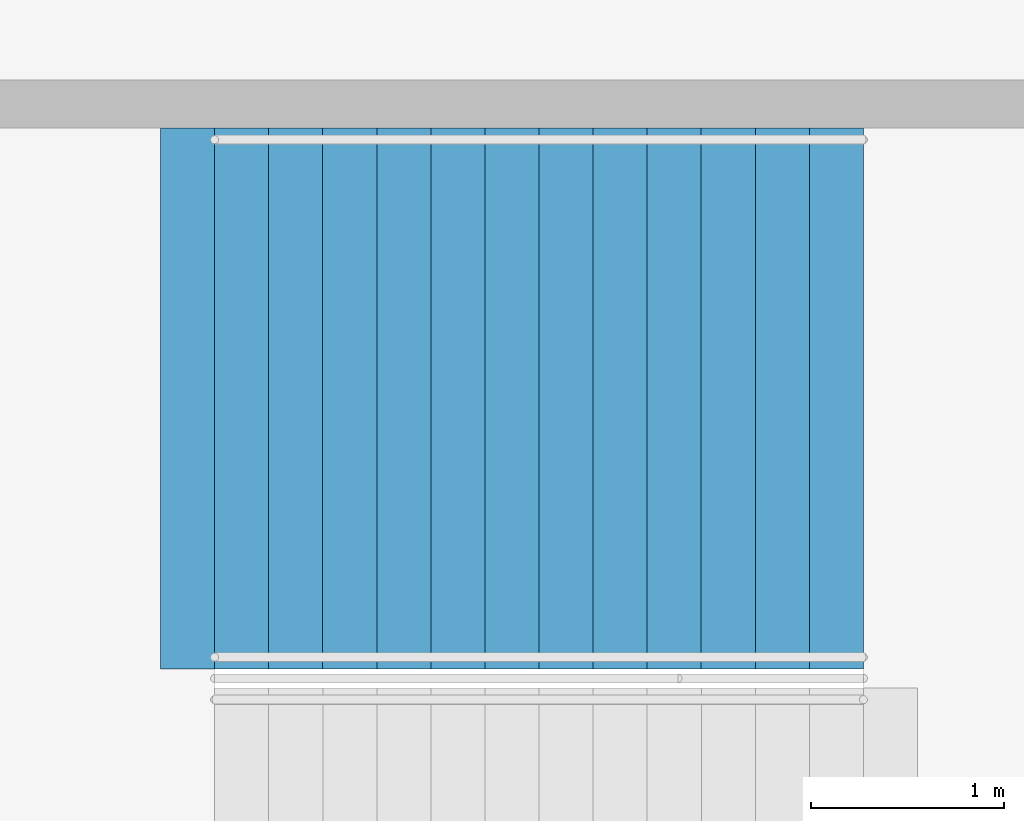
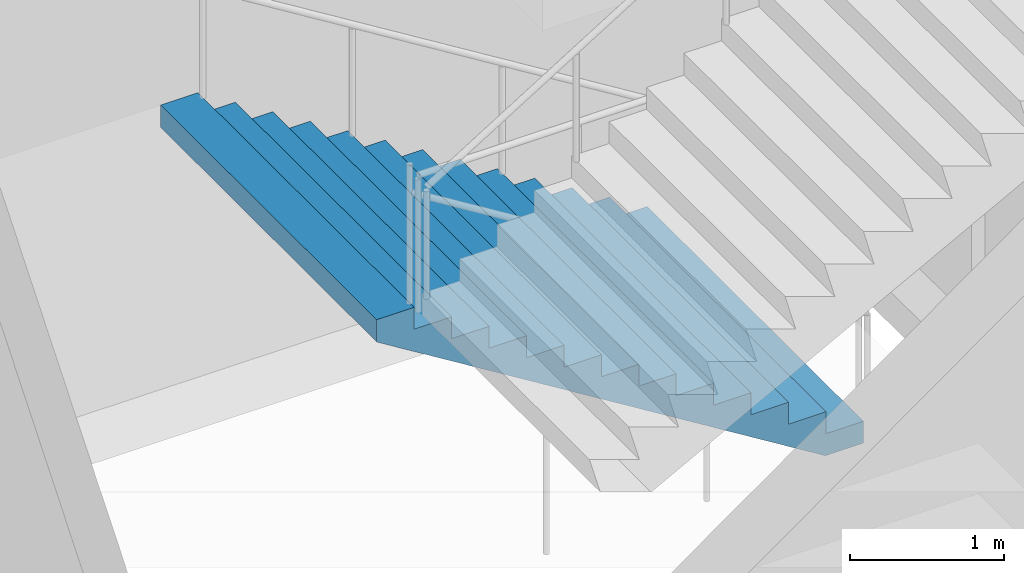
# One storey, part 153 of 199: 1 stair flight, 1 element without a shape of its own.
"""IFC4 building model written with IfcOpenShell, lengths in metres."""

from ifc_helpers import new_model, si_unit, direction, frame, origin, place, context, subcontext, project, spatial, faceted_brep, material, type_object, element, aggregate, save


model = new_model("IFC4")

# Units and contexts
model_context = context("Model", 3, precision=1e-05, world=origin(), true_north=direction((0.0, 1.0)))
body_context = subcontext(model_context, "Body", "Model", "MODEL_VIEW")
ifc_project = project(units=[si_unit("LENGTHUNIT", "METRE"), si_unit("AREAUNIT", "SQUARE_METRE"), si_unit("VOLUMEUNIT", "CUBIC_METRE"), si_unit("PLANEANGLEUNIT", "RADIAN"), si_unit("MASSUNIT", "GRAM", prefix="KILO")], contexts=[model_context])

# Site, building, storey
site_placement = place(None, origin())
site = spatial("IfcSite", under=ifc_project, at=site_placement, CompositionType="ELEMENT")
building_placement = place(site_placement, origin())
building = spatial("IfcBuilding", under=site, at=building_placement, Name="Ogive Plaza Stadium", CompositionType="ELEMENT")
storey_placement = place(building_placement, frame((0.0, 0.0, 4.5)))
storey = spatial("IfcBuildingStorey", under=building, at=storey_placement, Name="L01", CompositionType="ELEMENT", Elevation=4.5)

# Stair, stair flight
ifc_material_1 = material(Name="Concrete C40/50", Category="concrete")
stair_type = type_object("IfcStairType", Name="Exit stair", PredefinedType="STRAIGHT_RUN_STAIR", material=ifc_material_1)
stair_placement = place(storey_placement, origin())
stair = element("IfcStair", 1, at=stair_placement, inside=storey, type_object=stair_type, Name="Exit stair ST26A L01 to L02", PredefinedType="STRAIGHT_RUN_STAIR")
ifc_material_2 = material(Name="Concrete C40/50", Category="concrete")
stair_flight_type = type_object("IfcStairFlightType", Name="Exit stair flight", PredefinedType="STRAIGHT", material=ifc_material_2)
stair_flight_placement = place(storey_placement, frame((-76.35009765625, 26.925048828125, 0.0), z_axis=(0.0, 0.0, 1.0), x_axis=(-1.0, 0.0, 0.0)))
stair_flight = element("IfcStairFlight", 2, at=stair_flight_placement, type_object=stair_flight_type, Name="ST26A flight 1", NumberOfRisers=13, NumberOfTreads=12, PredefinedType="STRAIGHT", RiserHeight=0.173076923, TreadLength=0.28, context=body_context, shape_type="Brep", body=[
    faceted_brep([(0.28515625, -1.39990234375, 0.0), (3.639892578125, -1.39990234375, 2.07373046875), (3.639892578125, -1.39990234375, 2.25), (3.360107421875, -1.39990234375, 2.25), (3.360107421875, -1.39990234375, 2.076904296875), (3.080078125, -1.39990234375, 2.076904296875), (3.080078125, -1.39990234375, 1.90380859375), (2.800048828125, -1.39990234375, 1.90380859375), (2.800048828125, -1.39990234375, 1.730712890625), (2.52001953125, -1.39990234375, 1.730712890625), (2.52001953125, -1.39990234375, 1.5576171875), (2.239990234375, -1.39990234375, 1.5576171875), (2.239990234375, -1.39990234375, 1.384521484375), (1.9599609375, -1.39990234375, 1.384521484375), (1.9599609375, -1.39990234375, 1.21142578125), (1.679931640625, -1.39990234375, 1.21142578125), (1.679931640625, -1.39990234375, 1.03857421875), (1.39990234375, -1.39990234375, 1.03857421875), (1.39990234375, -1.39990234375, 0.865478515625), (1.1201171875, -1.39990234375, 0.865478515625), (1.1201171875, -1.39990234375, 0.6923828125), (0.840087890625, -1.39990234375, 0.6923828125), (0.840087890625, -1.39990234375, 0.519287109375), (0.56005859375, -1.39990234375, 0.519287109375), (0.56005859375, -1.39990234375, 0.34619140625), (0.280029296875, -1.39990234375, 0.34619140625), (0.280029296875, -1.39990234375, 0.173095703125), (0.0, -1.39990234375, 0.173095703125), (0.0, -1.39990234375, 0.0), (0.0, 1.39990234375, 0.0), (0.0, 1.39990234375, 0.173095703125), (0.280029296875, 1.39990234375, 0.173095703125), (0.280029296875, 1.39990234375, 0.34619140625), (0.56005859375, 1.39990234375, 0.34619140625), (0.56005859375, 1.39990234375, 0.519287109375), (0.840087890625, 1.39990234375, 0.519287109375), (0.840087890625, 1.39990234375, 0.6923828125), (1.1201171875, 1.39990234375, 0.6923828125), (1.1201171875, 1.39990234375, 0.865478515625), (1.39990234375, 1.39990234375, 0.865478515625), (1.39990234375, 1.39990234375, 1.03857421875), (1.679931640625, 1.39990234375, 1.03857421875), (1.679931640625, 1.39990234375, 1.21142578125), (1.9599609375, 1.39990234375, 1.21142578125), (1.9599609375, 1.39990234375, 1.384521484375), (2.239990234375, 1.39990234375, 1.384521484375), (2.239990234375, 1.39990234375, 1.5576171875), (2.52001953125, 1.39990234375, 1.5576171875), (2.52001953125, 1.39990234375, 1.730712890625), (2.800048828125, 1.39990234375, 1.730712890625), (2.800048828125, 1.39990234375, 1.90380859375), (3.080078125, 1.39990234375, 1.90380859375), (3.080078125, 1.39990234375, 2.076904296875), (3.360107421875, 1.39990234375, 2.076904296875), (3.360107421875, 1.39990234375, 2.25), (3.639892578125, 1.39990234375, 2.25), (3.639892578125, 1.39990234375, 2.07373046875), (0.28515625, 1.39990234375, 0.0), (0.28515625, -1.0888671875, 0.0), (3.639892578125, -1.0888671875, 2.07373046875), (0.28515625, -0.77783203125, 0.0), (3.639892578125, -0.77783203125, 2.07373046875), (0.28515625, -0.466796875, 0.0), (3.639892578125, -0.466796875, 2.07373046875), (0.28515625, -0.155517578125, 0.0), (3.639892578125, -0.155517578125, 2.07373046875), (0.28515625, 0.155517578125, 0.0), (3.639892578125, 0.155517578125, 2.07373046875), (0.28515625, 0.466796875, 0.0), (3.639892578125, 0.466796875, 2.07373046875), (0.28515625, 0.77783203125, 0.0), (3.639892578125, 0.77783203125, 2.07373046875), (0.28515625, 1.0888671875, 0.0), (3.639892578125, 1.0888671875, 2.07373046875), (3.639892578125, -1.0888671875, 2.25), (3.639892578125, -0.77783203125, 2.25), (3.639892578125, -0.466796875, 2.25), (3.639892578125, -0.155517578125, 2.25), (3.639892578125, 0.155517578125, 2.25), (3.639892578125, 0.466796875, 2.25), (3.639892578125, 0.77783203125, 2.25), (3.639892578125, 1.0888671875, 2.25), (3.360107421875, -1.0888671875, 2.25), (3.360107421875, -0.77783203125, 2.25), (3.360107421875, -0.466796875, 2.25), (3.360107421875, -0.155517578125, 2.25), (3.360107421875, 0.155517578125, 2.25), (3.360107421875, 0.466796875, 2.25), (3.360107421875, 0.77783203125, 2.25), (3.360107421875, 1.0888671875, 2.25), (3.360107421875, -1.0888671875, 2.076904296875), (3.360107421875, -0.77783203125, 2.076904296875), (3.360107421875, -0.466796875, 2.076904296875), (3.360107421875, -0.155517578125, 2.076904296875), (3.360107421875, 0.155517578125, 2.076904296875), (3.360107421875, 0.466796875, 2.076904296875), (3.360107421875, 0.77783203125, 2.076904296875), (3.360107421875, 1.0888671875, 2.076904296875), (3.080078125, -1.0888671875, 2.076904296875), (3.080078125, -0.77783203125, 2.076904296875), (3.080078125, -0.466796875, 2.076904296875), (3.080078125, -0.155517578125, 2.076904296875), (3.080078125, 0.155517578125, 2.076904296875), (3.080078125, 0.466796875, 2.076904296875), (3.080078125, 0.77783203125, 2.076904296875), (3.080078125, 1.0888671875, 2.076904296875), (3.080078125, -1.0888671875, 1.90380859375), (3.080078125, -0.77783203125, 1.90380859375), (3.080078125, -0.466796875, 1.90380859375), (3.080078125, -0.155517578125, 1.90380859375), (3.080078125, 0.155517578125, 1.90380859375), (3.080078125, 0.466796875, 1.90380859375), (3.080078125, 0.77783203125, 1.90380859375), (3.080078125, 1.0888671875, 1.90380859375), (2.800048828125, -1.0888671875, 1.90380859375), (2.800048828125, -0.77783203125, 1.90380859375), (2.800048828125, -0.466796875, 1.90380859375), (2.800048828125, -0.155517578125, 1.90380859375), (2.800048828125, 0.155517578125, 1.90380859375), (2.800048828125, 0.466796875, 1.90380859375), (2.800048828125, 0.77783203125, 1.90380859375), (2.800048828125, 1.0888671875, 1.90380859375), (2.800048828125, -1.0888671875, 1.730712890625), (2.800048828125, -0.77783203125, 1.730712890625), (2.800048828125, -0.466796875, 1.730712890625), (2.800048828125, -0.155517578125, 1.730712890625), (2.800048828125, 0.155517578125, 1.730712890625), (2.800048828125, 0.466796875, 1.730712890625), (2.800048828125, 0.77783203125, 1.730712890625), (2.800048828125, 1.0888671875, 1.730712890625), (2.52001953125, -1.0888671875, 1.730712890625), (2.52001953125, -0.77783203125, 1.730712890625), (2.52001953125, -0.466796875, 1.730712890625), (2.52001953125, -0.155517578125, 1.730712890625), (2.52001953125, 0.155517578125, 1.730712890625), (2.52001953125, 0.466796875, 1.730712890625), (2.52001953125, 0.77783203125, 1.730712890625), (2.52001953125, 1.0888671875, 1.730712890625), (2.52001953125, -1.0888671875, 1.5576171875), (2.52001953125, -0.77783203125, 1.5576171875), (2.52001953125, -0.466796875, 1.5576171875), (2.52001953125, -0.155517578125, 1.5576171875), (2.52001953125, 0.155517578125, 1.5576171875), (2.52001953125, 0.466796875, 1.5576171875), (2.52001953125, 0.77783203125, 1.5576171875), (2.52001953125, 1.0888671875, 1.5576171875), (2.239990234375, -1.0888671875, 1.5576171875), (2.239990234375, -0.77783203125, 1.5576171875), (2.239990234375, -0.466796875, 1.5576171875), (2.239990234375, -0.155517578125, 1.5576171875), (2.239990234375, 0.155517578125, 1.5576171875), (2.239990234375, 0.466796875, 1.5576171875), (2.239990234375, 0.77783203125, 1.5576171875), (2.239990234375, 1.0888671875, 1.5576171875), (2.239990234375, -1.0888671875, 1.384521484375), (2.239990234375, -0.77783203125, 1.384521484375), (2.239990234375, -0.466796875, 1.384521484375), (2.239990234375, -0.155517578125, 1.384521484375), (2.239990234375, 0.155517578125, 1.384521484375), (2.239990234375, 0.466796875, 1.384521484375), (2.239990234375, 0.77783203125, 1.384521484375), (2.239990234375, 1.0888671875, 1.384521484375), (1.9599609375, -1.0888671875, 1.384521484375), (1.9599609375, -0.77783203125, 1.384521484375), (1.9599609375, -0.466796875, 1.384521484375), (1.9599609375, -0.155517578125, 1.384521484375), (1.9599609375, 0.155517578125, 1.384521484375), (1.9599609375, 0.466796875, 1.384521484375), (1.9599609375, 0.77783203125, 1.384521484375), (1.9599609375, 1.0888671875, 1.384521484375), (1.9599609375, -1.0888671875, 1.21142578125), (1.9599609375, -0.77783203125, 1.21142578125), (1.9599609375, -0.466796875, 1.21142578125), (1.9599609375, -0.155517578125, 1.21142578125), (1.9599609375, 0.155517578125, 1.21142578125), (1.9599609375, 0.466796875, 1.21142578125), (1.9599609375, 0.77783203125, 1.21142578125), (1.9599609375, 1.0888671875, 1.21142578125), (1.679931640625, -1.0888671875, 1.21142578125), (1.679931640625, -0.77783203125, 1.21142578125), (1.679931640625, -0.466796875, 1.21142578125), (1.679931640625, -0.155517578125, 1.21142578125), (1.679931640625, 0.155517578125, 1.21142578125), (1.679931640625, 0.466796875, 1.21142578125), (1.679931640625, 0.77783203125, 1.21142578125), (1.679931640625, 1.0888671875, 1.21142578125), (1.679931640625, -1.0888671875, 1.03857421875), (1.679931640625, -0.77783203125, 1.03857421875), (1.679931640625, -0.466796875, 1.03857421875), (1.679931640625, -0.155517578125, 1.03857421875), (1.679931640625, 0.155517578125, 1.03857421875), (1.679931640625, 0.466796875, 1.03857421875), (1.679931640625, 0.77783203125, 1.03857421875), (1.679931640625, 1.0888671875, 1.03857421875), (1.39990234375, -1.0888671875, 1.03857421875), (1.39990234375, -0.77783203125, 1.03857421875), (1.39990234375, -0.466796875, 1.03857421875), (1.39990234375, -0.155517578125, 1.03857421875), (1.39990234375, 0.155517578125, 1.03857421875), (1.39990234375, 0.466796875, 1.03857421875), (1.39990234375, 0.77783203125, 1.03857421875), (1.39990234375, 1.0888671875, 1.03857421875), (1.39990234375, -1.0888671875, 0.865478515625), (1.39990234375, -0.77783203125, 0.865478515625), (1.39990234375, -0.466796875, 0.865478515625), (1.39990234375, -0.155517578125, 0.865478515625), (1.39990234375, 0.155517578125, 0.865478515625), (1.39990234375, 0.466796875, 0.865478515625), (1.39990234375, 0.77783203125, 0.865478515625), (1.39990234375, 1.0888671875, 0.865478515625), (1.1201171875, -1.0888671875, 0.865478515625), (1.1201171875, -0.77783203125, 0.865478515625), (1.1201171875, -0.466796875, 0.865478515625), (1.1201171875, -0.155517578125, 0.865478515625), (1.1201171875, 0.155517578125, 0.865478515625), (1.1201171875, 0.466796875, 0.865478515625), (1.1201171875, 0.77783203125, 0.865478515625), (1.1201171875, 1.0888671875, 0.865478515625), (1.1201171875, -1.0888671875, 0.6923828125), (1.1201171875, -0.77783203125, 0.6923828125), (1.1201171875, -0.466796875, 0.6923828125), (1.1201171875, -0.155517578125, 0.6923828125), (1.1201171875, 0.155517578125, 0.6923828125), (1.1201171875, 0.466796875, 0.6923828125), (1.1201171875, 0.77783203125, 0.6923828125), (1.1201171875, 1.0888671875, 0.6923828125), (0.840087890625, -1.0888671875, 0.6923828125), (0.840087890625, -0.77783203125, 0.6923828125), (0.840087890625, -0.466796875, 0.6923828125), (0.840087890625, -0.155517578125, 0.6923828125), (0.840087890625, 0.155517578125, 0.6923828125), (0.840087890625, 0.466796875, 0.6923828125), (0.840087890625, 0.77783203125, 0.6923828125), (0.840087890625, 1.0888671875, 0.6923828125), (0.840087890625, -1.0888671875, 0.519287109375), (0.840087890625, -0.77783203125, 0.519287109375), (0.840087890625, -0.466796875, 0.519287109375), (0.840087890625, -0.155517578125, 0.519287109375), (0.840087890625, 0.155517578125, 0.519287109375), (0.840087890625, 0.466796875, 0.519287109375), (0.840087890625, 0.77783203125, 0.519287109375), (0.840087890625, 1.0888671875, 0.519287109375), (0.56005859375, -1.0888671875, 0.519287109375), (0.56005859375, -0.77783203125, 0.519287109375), (0.56005859375, -0.466796875, 0.519287109375), (0.56005859375, -0.155517578125, 0.519287109375), (0.56005859375, 0.155517578125, 0.519287109375), (0.56005859375, 0.466796875, 0.519287109375), (0.56005859375, 0.77783203125, 0.519287109375), (0.56005859375, 1.0888671875, 0.519287109375), (0.56005859375, -1.0888671875, 0.34619140625), (0.56005859375, -0.77783203125, 0.34619140625), (0.56005859375, -0.466796875, 0.34619140625), (0.56005859375, -0.155517578125, 0.34619140625), (0.56005859375, 0.155517578125, 0.34619140625), (0.56005859375, 0.466796875, 0.34619140625), (0.56005859375, 0.77783203125, 0.34619140625), (0.56005859375, 1.0888671875, 0.34619140625), (0.280029296875, -1.0888671875, 0.34619140625), (0.280029296875, -0.77783203125, 0.34619140625), (0.280029296875, -0.466796875, 0.34619140625), (0.280029296875, -0.155517578125, 0.34619140625), (0.280029296875, 0.155517578125, 0.34619140625), (0.280029296875, 0.466796875, 0.34619140625), (0.280029296875, 0.77783203125, 0.34619140625), (0.280029296875, 1.0888671875, 0.34619140625), (0.280029296875, -1.0888671875, 0.173095703125), (0.280029296875, -0.77783203125, 0.173095703125), (0.280029296875, -0.466796875, 0.173095703125), (0.280029296875, -0.155517578125, 0.173095703125), (0.280029296875, 0.155517578125, 0.173095703125), (0.280029296875, 0.466796875, 0.173095703125), (0.280029296875, 0.77783203125, 0.173095703125), (0.280029296875, 1.0888671875, 0.173095703125), (0.0, -1.0888671875, 0.173095703125), (0.0, -0.77783203125, 0.173095703125), (0.0, -0.466796875, 0.173095703125), (0.0, -0.155517578125, 0.173095703125), (0.0, 0.155517578125, 0.173095703125), (0.0, 0.466796875, 0.173095703125), (0.0, 0.77783203125, 0.173095703125), (0.0, 1.0888671875, 0.173095703125), (0.0, -1.0888671875, 0.0), (0.0, -0.77783203125, 0.0), (0.0, -0.466796875, 0.0), (0.0, -0.155517578125, 0.0), (0.0, 0.155517578125, 0.0), (0.0, 0.466796875, 0.0), (0.0, 0.77783203125, 0.0), (0.0, 1.0888671875, 0.0)], [[[0, 1, 2, 3, 4, 5, 6, 7, 8, 9, 10, 11, 12, 13, 14, 15, 16, 17, 18, 19, 20, 21, 22, 23, 24, 25, 26, 27, 28]], [[29, 30, 31, 32, 33, 34, 35, 36, 37, 38, 39, 40, 41, 42, 43, 44, 45, 46, 47, 48, 49, 50, 51, 52, 53, 54, 55, 56, 57]], [[0, 58, 59, 1]], [[58, 60, 61, 59]], [[60, 62, 63, 61]], [[62, 64, 65, 63]], [[64, 66, 67, 65]], [[66, 68, 69, 67]], [[68, 70, 71, 69]], [[70, 72, 73, 71]], [[72, 57, 56, 73]], [[1, 59, 74, 2]], [[59, 61, 75, 74]], [[61, 63, 76, 75]], [[63, 65, 77, 76]], [[65, 67, 78, 77]], [[67, 69, 79, 78]], [[69, 71, 80, 79]], [[71, 73, 81, 80]], [[73, 56, 55, 81]], [[2, 74, 82, 3]], [[74, 75, 83, 82]], [[75, 76, 84, 83]], [[76, 77, 85, 84]], [[77, 78, 86, 85]], [[78, 79, 87, 86]], [[79, 80, 88, 87]], [[80, 81, 89, 88]], [[81, 55, 54, 89]], [[3, 82, 90, 4]], [[82, 83, 91, 90]], [[83, 84, 92, 91]], [[84, 85, 93, 92]], [[85, 86, 94, 93]], [[86, 87, 95, 94]], [[87, 88, 96, 95]], [[88, 89, 97, 96]], [[89, 54, 53, 97]], [[4, 90, 98, 5]], [[90, 91, 99, 98]], [[91, 92, 100, 99]], [[92, 93, 101, 100]], [[93, 94, 102, 101]], [[94, 95, 103, 102]], [[95, 96, 104, 103]], [[96, 97, 105, 104]], [[97, 53, 52, 105]], [[5, 98, 106, 6]], [[98, 99, 107, 106]], [[99, 100, 108, 107]], [[100, 101, 109, 108]], [[101, 102, 110, 109]], [[102, 103, 111, 110]], [[103, 104, 112, 111]], [[104, 105, 113, 112]], [[105, 52, 51, 113]], [[6, 106, 114, 7]], [[106, 107, 115, 114]], [[107, 108, 116, 115]], [[108, 109, 117, 116]], [[109, 110, 118, 117]], [[110, 111, 119, 118]], [[111, 112, 120, 119]], [[112, 113, 121, 120]], [[113, 51, 50, 121]], [[7, 114, 122, 8]], [[114, 115, 123, 122]], [[115, 116, 124, 123]], [[116, 117, 125, 124]], [[117, 118, 126, 125]], [[118, 119, 127, 126]], [[119, 120, 128, 127]], [[120, 121, 129, 128]], [[121, 50, 49, 129]], [[8, 122, 130, 9]], [[122, 123, 131, 130]], [[123, 124, 132, 131]], [[124, 125, 133, 132]], [[125, 126, 134, 133]], [[126, 127, 135, 134]], [[127, 128, 136, 135]], [[128, 129, 137, 136]], [[129, 49, 48, 137]], [[9, 130, 138, 10]], [[130, 131, 139, 138]], [[131, 132, 140, 139]], [[132, 133, 141, 140]], [[133, 134, 142, 141]], [[134, 135, 143, 142]], [[135, 136, 144, 143]], [[136, 137, 145, 144]], [[137, 48, 47, 145]], [[10, 138, 146, 11]], [[138, 139, 147, 146]], [[139, 140, 148, 147]], [[140, 141, 149, 148]], [[141, 142, 150, 149]], [[142, 143, 151, 150]], [[143, 144, 152, 151]], [[144, 145, 153, 152]], [[145, 47, 46, 153]], [[11, 146, 154, 12]], [[146, 147, 155, 154]], [[147, 148, 156, 155]], [[148, 149, 157, 156]], [[149, 150, 158, 157]], [[150, 151, 159, 158]], [[151, 152, 160, 159]], [[152, 153, 161, 160]], [[153, 46, 45, 161]], [[12, 154, 162, 13]], [[154, 155, 163, 162]], [[155, 156, 164, 163]], [[156, 157, 165, 164]], [[157, 158, 166, 165]], [[158, 159, 167, 166]], [[159, 160, 168, 167]], [[160, 161, 169, 168]], [[161, 45, 44, 169]], [[13, 162, 170, 14]], [[162, 163, 171, 170]], [[163, 164, 172, 171]], [[164, 165, 173, 172]], [[165, 166, 174, 173]], [[166, 167, 175, 174]], [[167, 168, 176, 175]], [[168, 169, 177, 176]], [[169, 44, 43, 177]], [[14, 170, 178, 15]], [[170, 171, 179, 178]], [[171, 172, 180, 179]], [[172, 173, 181, 180]], [[173, 174, 182, 181]], [[174, 175, 183, 182]], [[175, 176, 184, 183]], [[176, 177, 185, 184]], [[177, 43, 42, 185]], [[15, 178, 186, 16]], [[178, 179, 187, 186]], [[179, 180, 188, 187]], [[180, 181, 189, 188]], [[181, 182, 190, 189]], [[182, 183, 191, 190]], [[183, 184, 192, 191]], [[184, 185, 193, 192]], [[185, 42, 41, 193]], [[16, 186, 194, 17]], [[186, 187, 195, 194]], [[187, 188, 196, 195]], [[188, 189, 197, 196]], [[189, 190, 198, 197]], [[190, 191, 199, 198]], [[191, 192, 200, 199]], [[192, 193, 201, 200]], [[193, 41, 40, 201]], [[17, 194, 202, 18]], [[194, 195, 203, 202]], [[195, 196, 204, 203]], [[196, 197, 205, 204]], [[197, 198, 206, 205]], [[198, 199, 207, 206]], [[199, 200, 208, 207]], [[200, 201, 209, 208]], [[201, 40, 39, 209]], [[18, 202, 210, 19]], [[202, 203, 211, 210]], [[203, 204, 212, 211]], [[204, 205, 213, 212]], [[205, 206, 214, 213]], [[206, 207, 215, 214]], [[207, 208, 216, 215]], [[208, 209, 217, 216]], [[209, 39, 38, 217]], [[19, 210, 218, 20]], [[210, 211, 219, 218]], [[211, 212, 220, 219]], [[212, 213, 221, 220]], [[213, 214, 222, 221]], [[214, 215, 223, 222]], [[215, 216, 224, 223]], [[216, 217, 225, 224]], [[217, 38, 37, 225]], [[20, 218, 226, 21]], [[218, 219, 227, 226]], [[219, 220, 228, 227]], [[220, 221, 229, 228]], [[221, 222, 230, 229]], [[222, 223, 231, 230]], [[223, 224, 232, 231]], [[224, 225, 233, 232]], [[225, 37, 36, 233]], [[21, 226, 234, 22]], [[226, 227, 235, 234]], [[227, 228, 236, 235]], [[228, 229, 237, 236]], [[229, 230, 238, 237]], [[230, 231, 239, 238]], [[231, 232, 240, 239]], [[232, 233, 241, 240]], [[233, 36, 35, 241]], [[22, 234, 242, 23]], [[234, 235, 243, 242]], [[235, 236, 244, 243]], [[236, 237, 245, 244]], [[237, 238, 246, 245]], [[238, 239, 247, 246]], [[239, 240, 248, 247]], [[240, 241, 249, 248]], [[241, 35, 34, 249]], [[23, 242, 250, 24]], [[242, 243, 251, 250]], [[243, 244, 252, 251]], [[244, 245, 253, 252]], [[245, 246, 254, 253]], [[246, 247, 255, 254]], [[247, 248, 256, 255]], [[248, 249, 257, 256]], [[249, 34, 33, 257]], [[24, 250, 258, 25]], [[250, 251, 259, 258]], [[251, 252, 260, 259]], [[252, 253, 261, 260]], [[253, 254, 262, 261]], [[254, 255, 263, 262]], [[255, 256, 264, 263]], [[256, 257, 265, 264]], [[257, 33, 32, 265]], [[25, 258, 266, 26]], [[258, 259, 267, 266]], [[259, 260, 268, 267]], [[260, 261, 269, 268]], [[261, 262, 270, 269]], [[262, 263, 271, 270]], [[263, 264, 272, 271]], [[264, 265, 273, 272]], [[265, 32, 31, 273]], [[26, 266, 274, 27]], [[266, 267, 275, 274]], [[267, 268, 276, 275]], [[268, 269, 277, 276]], [[269, 270, 278, 277]], [[270, 271, 279, 278]], [[271, 272, 280, 279]], [[272, 273, 281, 280]], [[273, 31, 30, 281]], [[27, 274, 282, 28]], [[274, 275, 283, 282]], [[275, 276, 284, 283]], [[276, 277, 285, 284]], [[277, 278, 286, 285]], [[278, 279, 287, 286]], [[279, 280, 288, 287]], [[280, 281, 289, 288]], [[281, 30, 29, 289]], [[28, 282, 58, 0]], [[282, 283, 60, 58]], [[283, 284, 62, 60]], [[284, 285, 64, 62]], [[285, 286, 66, 64]], [[286, 287, 68, 66]], [[287, 288, 70, 68]], [[288, 289, 72, 70]], [[289, 29, 57, 72]]]),
])
aggregate(stair, [stair_flight])

save(model, "model.ifc")
